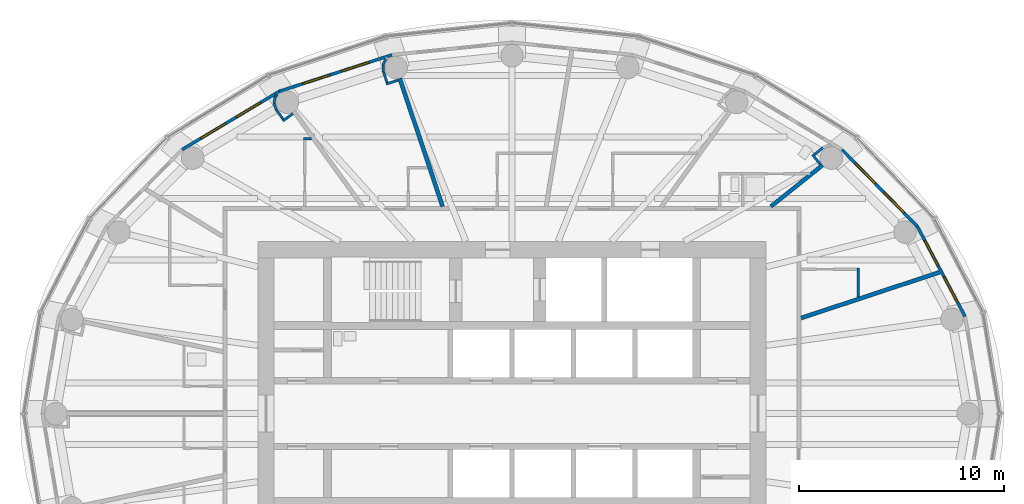
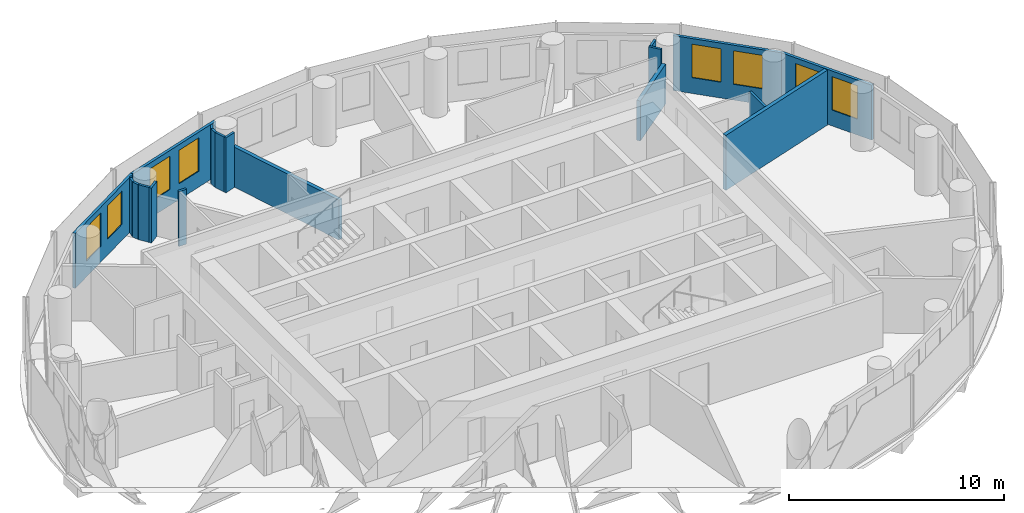
# One storey, part 12 of 16: 20 walls, 8 windows, 8 openings.
"""IFC4 building model written with IfcOpenShell, lengths in metres."""

from ifc_helpers import new_model, si_unit, direction, frame, frame_2d, origin, place, context, subcontext, project, spatial, rectangle, extrude, material, layer, layer_set, type_object, element, fill, save


model = new_model("IFC4")

# Units and contexts
model_context = context("Model", 3, precision=1e-05, world=origin(), true_north=direction((0.0, 1.0)))
body_context = subcontext(model_context, "Body", "Model", "MODEL_VIEW")
ifc_project = project(units=[si_unit("LENGTHUNIT", "METRE"), si_unit("AREAUNIT", "SQUARE_METRE"), si_unit("VOLUMEUNIT", "CUBIC_METRE"), si_unit("PLANEANGLEUNIT", "RADIAN"), si_unit("MASSUNIT", "GRAM", prefix="KILO")], contexts=[model_context])

# Site, building, storey
site_placement = place(None, origin())
site = spatial("IfcSite", under=ifc_project, at=site_placement, CompositionType="ELEMENT")
building_placement = place(site_placement, origin())
building = spatial("IfcBuilding", under=site, at=building_placement, Name="Hankou Lantern Tower", CompositionType="ELEMENT")
storey_placement = place(building_placement, frame((0.0, 0.0, 143.39990234375)))
storey = spatial("IfcBuildingStorey", under=building, at=storey_placement, Name="L37", CompositionType="ELEMENT", Elevation=143.39990234375)

# Wall, openings, windows
ifc_material_1 = material(Name="Aluminium spandrel panel on steel studs", Category="steel")
ifc_layer_1 = layer(ifc_material_1, 0.14990234375)
ifc_layer_set_1 = layer_set([ifc_layer_1], Name="Aluminium spandrel panel on steel studs")
wall_type_1 = type_object("IfcWallType", Name="EW1 INNER SKIN WALL 150", PredefinedType="ELEMENTEDWALL", material=ifc_layer_set_1)
wall_1_placement = place(storey_placement, frame((22.1015625, 4.73779296875, 0.0), z_axis=(0.0, 0.0, 1.0), x_axis=(-0.468428906714, 0.883501193748, 0.0)))
wall_1 = element("IfcWall", 1, at=wall_1_placement, inside=storey, type_object=wall_type_1, Name="Inner skin R02-R03 L37", PredefinedType="ELEMENTEDWALL", context=body_context, shape_type="SweptSolid", body=[
    extrude(rectangle(XDim=4.9736328125, YDim=0.14990234375, at=frame_2d((2.48681640625, 0.0))), origin(), (0.0, 0.0, 1.0), 3.1201171875),
])
opening_1_placement = place(wall_1_placement, frame((0.786865234375, 0.0, 0.89990234375)))
opening_1 = element("IfcOpeningElement", 2, at=opening_1_placement, cuts=wall_1, Name="Opening W3", PredefinedType="OPENING", context=body_context, shape_type="SweptSolid", body=[
    extrude(rectangle(XDim=1.39990234375, YDim=1.89990234375, at=frame_2d((0.699951171875, 0.949951171875))), frame((0.0, 0.0849609375, 0.0), z_axis=(0.0, -1.0, 0.0), x_axis=(1.0, 0.0, 0.0)), (0.0, 0.0, 1.0), 0.169921875),
])
opening_2_placement = place(wall_1_placement, frame((2.786865234375, 0.0, 0.89990234375)))
opening_2 = element("IfcOpeningElement", 3, at=opening_2_placement, cuts=wall_1, Name="Opening W3", PredefinedType="OPENING", context=body_context, shape_type="SweptSolid", body=[
    extrude(rectangle(XDim=1.39990234375, YDim=1.89990234375, at=frame_2d((0.699951171875, 0.949951171875))), frame((0.0, 0.0849609375, 0.0), z_axis=(0.0, -1.0, 0.0), x_axis=(1.0, 0.0, 0.0)), (0.0, 0.0, 1.0), 0.169921875),
])
ifc_material_2 = material(Name="Aluminium framed double glazed window", Category="aluminium")
window_type = type_object("IfcWindowType", Name="W3 GUEST ROOM WINDOW 1400X1900", PartitioningType="DOUBLE_PANEL_VERTICAL", PredefinedType="WINDOW", material=ifc_material_2)
window_1_placement = place(opening_1_placement, origin())
window_1 = element("IfcWindow", 4, at=window_1_placement, inside=storey, type_object=window_type, Name="Window R02.1 L37", OverallHeight=1.89990234375, OverallWidth=1.39990234375, PartitioningType="SINGLE_PANEL", PredefinedType="WINDOW", context=body_context, shape_type="SweptSolid", body=[
    extrude(rectangle(XDim=1.39990234375, YDim=1.89990234375, at=frame_2d((0.699951171875, 0.949951171875))), frame((0.0, 0.030029296875, 0.0), z_axis=(0.0, -1.0, 0.0), x_axis=(1.0, 0.0, 0.0)), (0.0, 0.0, 1.0), 0.06005859375),
])
fill(opening_1, window_1)
window_2_placement = place(opening_2_placement, origin())
window_2 = element("IfcWindow", 5, at=window_2_placement, inside=storey, type_object=window_type, Name="Window R02.2 L37", OverallHeight=1.89990234375, OverallWidth=1.39990234375, PartitioningType="SINGLE_PANEL", PredefinedType="WINDOW", context=body_context, shape_type="SweptSolid", body=[
    extrude(rectangle(XDim=1.39990234375, YDim=1.89990234375, at=frame_2d((0.699951171875, 0.949951171875))), frame((0.0, 0.030029296875, 0.0), z_axis=(0.0, -1.0, 0.0), x_axis=(1.0, 0.0, 0.0)), (0.0, 0.0, 1.0), 0.06005859375),
])
fill(opening_2, window_2)

wall_2_placement = place(storey_placement, frame((19.771728515625, 9.132080078125, 0.0), z_axis=(0.0, 0.0, 1.0), x_axis=(-0.700727467776, 0.71342905457, 0.0)))
wall_2 = element("IfcWall", 6, at=wall_2_placement, inside=storey, type_object=wall_type_1, Name="Inner skin R03-R04 L37", PredefinedType="ELEMENTEDWALL", context=body_context, shape_type="SweptSolid", body=[
    extrude(rectangle(XDim=5.247314453125, YDim=0.14990234375, at=frame_2d((2.62353515625, 0.0))), origin(), (0.0, 0.0, 1.0), 3.1201171875),
])
opening_3_placement = place(wall_2_placement, frame((0.923583984375, 0.0, 0.89990234375)))
opening_3 = element("IfcOpeningElement", 7, at=opening_3_placement, cuts=wall_2, Name="Opening W3", PredefinedType="OPENING", context=body_context, shape_type="SweptSolid", body=[
    extrude(rectangle(XDim=1.39990234375, YDim=1.89990234375, at=frame_2d((0.699951171875, 0.949951171875))), frame((0.0, 0.0849609375, 0.0), z_axis=(0.0, -1.0, 0.0), x_axis=(1.0, 0.0, 0.0)), (0.0, 0.0, 1.0), 0.169921875),
])
opening_4_placement = place(wall_2_placement, frame((2.923583984375, 0.0, 0.89990234375)))
opening_4 = element("IfcOpeningElement", 8, at=opening_4_placement, cuts=wall_2, Name="Opening W3", PredefinedType="OPENING", context=body_context, shape_type="SweptSolid", body=[
    extrude(rectangle(XDim=1.39990234375, YDim=1.89990234375, at=frame_2d((0.699951171875, 0.949951171875))), frame((0.0, 0.0849609375, 0.0), z_axis=(0.0, -1.0, 0.0), x_axis=(1.0, 0.0, 0.0)), (0.0, 0.0, 1.0), 0.169921875),
])
window_3_placement = place(opening_3_placement, origin())
window_3 = element("IfcWindow", 9, at=window_3_placement, inside=storey, type_object=window_type, Name="Window R03.1 L37", OverallHeight=1.89990234375, OverallWidth=1.39990234375, PartitioningType="SINGLE_PANEL", PredefinedType="WINDOW", context=body_context, shape_type="SweptSolid", body=[
    extrude(rectangle(XDim=1.39990234375, YDim=1.89990234375, at=frame_2d((0.699951171875, 0.949951171875))), frame((0.0, 0.030029296875, 0.0), z_axis=(0.0, -1.0, 0.0), x_axis=(1.0, 0.0, 0.0)), (0.0, 0.0, 1.0), 0.06005859375),
])
fill(opening_3, window_3)
window_4_placement = place(opening_4_placement, origin())
window_4 = element("IfcWindow", 10, at=window_4_placement, inside=storey, type_object=window_type, Name="Window R03.2 L37", OverallHeight=1.89990234375, OverallWidth=1.39990234375, PartitioningType="SINGLE_PANEL", PredefinedType="WINDOW", context=body_context, shape_type="SweptSolid", body=[
    extrude(rectangle(XDim=1.39990234375, YDim=1.89990234375, at=frame_2d((0.699951171875, 0.949951171875))), frame((0.0, 0.030029296875, 0.0), z_axis=(0.0, -1.0, 0.0), x_axis=(1.0, 0.0, 0.0)), (0.0, 0.0, 1.0), 0.06005859375),
])
fill(opening_4, window_4)

wall_3_placement = place(storey_placement, frame((-5.8603515625, 17.497314453125, 0.0), z_axis=(0.0, 0.0, 1.0), x_axis=(-0.951432482129, -0.307857486429, 0.0)))
wall_3 = element("IfcWall", 11, at=wall_3_placement, inside=storey, type_object=wall_type_1, Name="Inner skin R08-R09 L37", PredefinedType="ELEMENTEDWALL", context=body_context, shape_type="SweptSolid", body=[
    extrude(rectangle(XDim=5.76611328125, YDim=0.14990234375, at=frame_2d((2.883056640625, 0.0))), origin(), (0.0, 0.0, 1.0), 3.1201171875),
])
opening_5_placement = place(wall_3_placement, frame((1.18310546875, 0.0, 0.89990234375)))
opening_5 = element("IfcOpeningElement", 12, at=opening_5_placement, cuts=wall_3, Name="Opening W3", PredefinedType="OPENING", context=body_context, shape_type="SweptSolid", body=[
    extrude(rectangle(XDim=1.39990234375, YDim=1.89990234375, at=frame_2d((0.699951171875, 0.949951171875))), frame((0.0, 0.0849609375, 0.0), z_axis=(0.0, -1.0, 0.0), x_axis=(1.0, 0.0, 0.0)), (0.0, 0.0, 1.0), 0.169921875),
])
opening_6_placement = place(wall_3_placement, frame((3.18310546875, 0.0, 0.89990234375)))
opening_6 = element("IfcOpeningElement", 13, at=opening_6_placement, cuts=wall_3, Name="Opening W3", PredefinedType="OPENING", context=body_context, shape_type="SweptSolid", body=[
    extrude(rectangle(XDim=1.39990234375, YDim=1.89990234375, at=frame_2d((0.699951171875, 0.949951171875))), frame((0.0, 0.0849609375, 0.0), z_axis=(0.0, -1.0, 0.0), x_axis=(1.0, 0.0, 0.0)), (0.0, 0.0, 1.0), 0.169921875),
])
window_5_placement = place(opening_5_placement, origin())
window_5 = element("IfcWindow", 14, at=window_5_placement, inside=storey, type_object=window_type, Name="Window R08.1 L37", OverallHeight=1.89990234375, OverallWidth=1.39990234375, PartitioningType="SINGLE_PANEL", PredefinedType="WINDOW", context=body_context, shape_type="SweptSolid", body=[
    extrude(rectangle(XDim=1.39990234375, YDim=1.89990234375, at=frame_2d((0.699951171875, 0.949951171875))), frame((0.0, 0.030029296875, 0.0), z_axis=(0.0, -1.0, 0.0), x_axis=(1.0, 0.0, 0.0)), (0.0, 0.0, 1.0), 0.06005859375),
])
fill(opening_5, window_5)
window_6_placement = place(opening_6_placement, origin())
window_6 = element("IfcWindow", 15, at=window_6_placement, inside=storey, type_object=window_type, Name="Window R08.2 L37", OverallHeight=1.89990234375, OverallWidth=1.39990234375, PartitioningType="SINGLE_PANEL", PredefinedType="WINDOW", context=body_context, shape_type="SweptSolid", body=[
    extrude(rectangle(XDim=1.39990234375, YDim=1.89990234375, at=frame_2d((0.699951171875, 0.949951171875))), frame((0.0, 0.030029296875, 0.0), z_axis=(0.0, -1.0, 0.0), x_axis=(1.0, 0.0, 0.0)), (0.0, 0.0, 1.0), 0.06005859375),
])
fill(opening_6, window_6)

wall_4_placement = place(storey_placement, frame((-11.346435546875, 15.72216796875, 0.0), z_axis=(0.0, 0.0, 1.0), x_axis=(-0.857695199231, -0.514158482587, 0.0)))
wall_4 = element("IfcWall", 16, at=wall_4_placement, inside=storey, type_object=wall_type_1, Name="Inner skin R09-R10 L37", PredefinedType="ELEMENTEDWALL", context=body_context, shape_type="SweptSolid", body=[
    extrude(rectangle(XDim=5.5361328125, YDim=0.14990234375, at=frame_2d((2.76806640625, 0.0))), origin(), (0.0, 0.0, 1.0), 3.1201171875),
])
opening_7_placement = place(wall_4_placement, frame((1.068115234375, 0.0, 0.89990234375)))
opening_7 = element("IfcOpeningElement", 17, at=opening_7_placement, cuts=wall_4, Name="Opening W3", PredefinedType="OPENING", context=body_context, shape_type="SweptSolid", body=[
    extrude(rectangle(XDim=1.39990234375, YDim=1.89990234375, at=frame_2d((0.699951171875, 0.949951171875))), frame((0.0, 0.0849609375, 0.0), z_axis=(0.0, -1.0, 0.0), x_axis=(1.0, 0.0, 0.0)), (0.0, 0.0, 1.0), 0.169921875),
])
opening_8_placement = place(wall_4_placement, frame((3.068115234375, 0.0, 0.89990234375)))
opening_8 = element("IfcOpeningElement", 18, at=opening_8_placement, cuts=wall_4, Name="Opening W3", PredefinedType="OPENING", context=body_context, shape_type="SweptSolid", body=[
    extrude(rectangle(XDim=1.39990234375, YDim=1.89990234375, at=frame_2d((0.699951171875, 0.949951171875))), frame((0.0, 0.0849609375, 0.0), z_axis=(0.0, -1.0, 0.0), x_axis=(1.0, 0.0, 0.0)), (0.0, 0.0, 1.0), 0.169921875),
])
window_7_placement = place(opening_7_placement, origin())
window_7 = element("IfcWindow", 19, at=window_7_placement, inside=storey, type_object=window_type, Name="Window R09.1 L37", OverallHeight=1.89990234375, OverallWidth=1.39990234375, PartitioningType="SINGLE_PANEL", PredefinedType="WINDOW", context=body_context, shape_type="SweptSolid", body=[
    extrude(rectangle(XDim=1.39990234375, YDim=1.89990234375, at=frame_2d((0.699951171875, 0.949951171875))), frame((0.0, 0.030029296875, 0.0), z_axis=(0.0, -1.0, 0.0), x_axis=(1.0, 0.0, 0.0)), (0.0, 0.0, 1.0), 0.06005859375),
])
fill(opening_7, window_7)
window_8_placement = place(opening_8_placement, origin())
window_8 = element("IfcWindow", 20, at=window_8_placement, inside=storey, type_object=window_type, Name="Window R09.2 L37", OverallHeight=1.89990234375, OverallWidth=1.39990234375, PartitioningType="SINGLE_PANEL", PredefinedType="WINDOW", context=body_context, shape_type="SweptSolid", body=[
    extrude(rectangle(XDim=1.39990234375, YDim=1.89990234375, at=frame_2d((0.699951171875, 0.949951171875))), frame((0.0, 0.030029296875, 0.0), z_axis=(0.0, -1.0, 0.0), x_axis=(1.0, 0.0, 0.0)), (0.0, 0.0, 1.0), 0.06005859375),
])
fill(opening_8, window_8)

# Walls
ifc_material_3 = material(Name="Masonry lightweight concrete block", Category="masonry")
ifc_layer_2 = layer(ifc_material_3, 0.1201171875)
ifc_layer_set_2 = layer_set([ifc_layer_2], Name="Masonry lightweight concrete block")
wall_type_2 = type_object("IfcWallType", Name="IW3 BATHROOM WALL 120", PredefinedType="PARTITIONING", material=ifc_layer_set_2)
wall_5_placement = place(storey_placement, frame((16.89990234375, 5.687255859375, 0.0), z_axis=(0.0, 0.0, 1.0), x_axis=(0.0, 1.0, 0.0)))
element("IfcWall", 21, at=wall_5_placement, inside=storey, type_object=wall_type_2, Name="Box wall 3711 1", PredefinedType="PARTITIONING", context=body_context, shape_type="SweptSolid", body=[
    extrude(rectangle(XDim=1.414306640625, YDim=0.1201171875, at=frame_2d((0.70703125, 0.0))), origin(), (0.0, 0.0, 1.0), 3.1201171875),
])
wall_6_placement = place(storey_placement, frame((-9.7705078125, 13.39990234375, 0.0), z_axis=(0.0, 0.0, 1.0), x_axis=(-1.0, 0.0, 0.0)))
element("IfcWall", 22, at=wall_6_placement, inside=storey, type_object=wall_type_2, Name="Box wall 3716 1", PredefinedType="PARTITIONING", context=body_context, shape_type="SweptSolid", body=[
    extrude(rectangle(XDim=0.408447265625, YDim=0.1201171875, at=frame_2d((0.2041015625, 0.0))), origin(), (0.0, 0.0, 1.0), 3.1201171875),
])
ifc_material_4 = material(Name="Masonry lightweight concrete block", Category="masonry")
ifc_layer_3 = layer(ifc_material_4, 0.1201171875)
ifc_layer_set_3 = layer_set([ifc_layer_3], Name="Masonry lightweight concrete block")
wall_type_3 = type_object("IfcWallType", Name="IW4 PARTITION 120", PredefinedType="PARTITIONING", material=ifc_layer_set_3)
wall_7_placement = place(storey_placement, frame((15.037353515625, 12.157958984375, 0.0), z_axis=(0.0, 0.0, 1.0), x_axis=(-0.624840920722, 0.78075208856, 0.0)))
element("IfcWall", 23, at=wall_7_placement, inside=storey, type_object=wall_type_3, Name="Column casing R04 return", PredefinedType="PARTITIONING", context=body_context, shape_type="SweptSolid", body=[
    extrude(rectangle(XDim=0.6123046875, YDim=0.1201171875, at=frame_2d((0.30615234375, 0.0))), origin(), (0.0, 0.0, 1.0), 3.1201171875),
])
wall_8_placement = place(storey_placement, frame((14.7392578125, 12.626708984375, 0.0), z_axis=(0.0, 0.0, 1.0), x_axis=(0.780912119987, 0.624640905527, 0.0)))
element("IfcWall", 24, at=wall_8_placement, inside=storey, type_object=wall_type_3, Name="Column casing R04", PredefinedType="PARTITIONING", context=body_context, shape_type="SweptSolid", body=[
    extrude(rectangle(XDim=0.5498046875, YDim=0.1201171875, at=frame_2d((0.27490234375, 0.0))), origin(), (0.0, 0.0, 1.0), 3.1201171875),
])
wall_9_placement = place(storey_placement, frame((-5.553955078125, 16.267333984375, 0.0), z_axis=(0.0, 0.0, 1.0), x_axis=(-0.948163683492, -0.317782361541, 0.0)))
element("IfcWall", 25, at=wall_9_placement, inside=storey, type_object=wall_type_3, Name="Column casing R08 return", PredefinedType="PARTITIONING", context=body_context, shape_type="SweptSolid", body=[
    extrude(rectangle(XDim=0.6123046875, YDim=0.1201171875, at=frame_2d((0.30615234375, 0.0))), origin(), (0.0, 0.0, 1.0), 3.1201171875),
])
wall_10_placement = place(storey_placement, frame((-6.0966796875, 16.148681640625, 0.0), z_axis=(0.0, 0.0, 1.0), x_axis=(-0.317292604854, 0.948327687514, 0.0)))
element("IfcWall", 26, at=wall_10_placement, inside=storey, type_object=wall_type_3, Name="Column casing R08", PredefinedType="PARTITIONING", context=body_context, shape_type="SweptSolid", body=[
    extrude(rectangle(XDim=0.550048828125, YDim=0.1201171875, at=frame_2d((0.27490234375, 0.0))), origin(), (0.0, 0.0, 1.0), 3.1201171875),
])
for number, where, z_axis, x_axis, name in (
    (27, (-6.271240234375, 16.67041015625, 0.0), (0.0, 0.0, 1.0), (-0.061477694849, 0.998108457552, 0.0), "Column casing R08"),
    (28, (-6.2919921875, 17.00732421875, 0.0), (0.0, 0.0, 1.0), (0.445477128334, 0.895293319606, 0.0), "Column casing R08"),
):
    element("IfcWall", number, at=place(storey_placement, frame(where, z_axis=z_axis, x_axis=x_axis)), inside=storey, type_object=wall_type_3, Name=name, PredefinedType="PARTITIONING", context=body_context, shape_type="SweptSolid", body=[
        extrude(rectangle(XDim=0.337646484375, YDim=0.1201171875, at=frame_2d((0.1689453125, 0.0))), origin(), (0.0, 0.0, 1.0), 3.1201171875),
    ])
wall_11_placement = place(storey_placement, frame((-10.683837890625, 14.633056640625, 0.0), z_axis=(0.0, 0.0, 1.0), x_axis=(-0.810921075692, -0.585155542568, 0.0)))
element("IfcWall", 29, at=wall_11_placement, inside=storey, type_object=wall_type_3, Name="Column casing R09 return", PredefinedType="PARTITIONING", context=body_context, shape_type="SweptSolid", body=[
    extrude(rectangle(XDim=0.612060546875, YDim=0.1201171875, at=frame_2d((0.30615234375, 0.0))), origin(), (0.0, 0.0, 1.0), 3.1201171875),
])
wall_12_placement = place(storey_placement, frame((-11.166748046875, 14.358642578125, 0.0), z_axis=(0.0, 0.0, 1.0), x_axis=(-0.585263549799, 0.810843127415, 0.0)))
element("IfcWall", 30, at=wall_12_placement, inside=storey, type_object=wall_type_3, Name="Column casing R09", PredefinedType="PARTITIONING", context=body_context, shape_type="SweptSolid", body=[
    extrude(rectangle(XDim=0.5498046875, YDim=0.1201171875, at=frame_2d((0.27490234375, 0.0))), origin(), (0.0, 0.0, 1.0), 3.1201171875),
])
for number, where, z_axis, x_axis, name in (
    (31, (-11.488525390625, 14.804443359375, 0.0), (0.0, 0.0, 1.0), (-0.355634599475, 0.934625075448, 0.0), "Column casing R09"),
    (32, (-11.608642578125, 15.1201171875, 0.0), (0.0, 0.0, 1.0), (0.159823572519, 0.987145594969, 0.0), "Column casing R09"),
):
    element("IfcWall", number, at=place(storey_placement, frame(where, z_axis=z_axis, x_axis=x_axis)), inside=storey, type_object=wall_type_3, Name=name, PredefinedType="PARTITIONING", context=body_context, shape_type="SweptSolid", body=[
        extrude(rectangle(XDim=0.337646484375, YDim=0.1201171875, at=frame_2d((0.1689453125, 0.0))), origin(), (0.0, 0.0, 1.0), 3.1201171875),
    ])
wall_13_placement = place(storey_placement, frame((-11.5546875, 15.453369140625, 0.0), z_axis=(0.0, 0.0, 1.0), x_axis=(0.631711901025, 0.775203246964, 0.0)))
element("IfcWall", 33, at=wall_13_placement, inside=storey, type_object=wall_type_3, Name="Column casing R09", PredefinedType="PARTITIONING", context=body_context, shape_type="SweptSolid", body=[
    extrude(rectangle(XDim=0.139404296875, YDim=0.1201171875, at=frame_2d((0.06982421875, 0.0))), origin(), (0.0, 0.0, 1.0), 3.1201171875),
])
ifc_material_5 = material(Name="Masonry lightweight concrete block", Category="masonry")
ifc_layer_4 = layer(ifc_material_5, 0.199951171875)
ifc_layer_set_4 = layer_set([ifc_layer_4], Name="Masonry lightweight concrete block")
wall_type_4 = type_object("IfcWallType", Name="IW8 PARTITION 200", PredefinedType="PARTITIONING", material=ifc_layer_set_4)
wall_14_placement = place(storey_placement, frame((14.10009765625, 4.661376953125, 0.0), z_axis=(0.0, 0.0, 1.0), x_axis=(0.949453216399, 0.313908569285, 0.0)))
element("IfcWall", 34, at=wall_14_placement, inside=storey, type_object=wall_type_4, Name="Partition R02-R03", PredefinedType="PARTITIONING", context=body_context, shape_type="SweptSolid", body=[
    extrude(rectangle(XDim=7.108642578125, YDim=0.199951171875, at=frame_2d((3.55419921875, 0.0))), origin(), (0.0, 0.0, 1.0), 3.1201171875),
])
wall_15_placement = place(storey_placement, frame((12.625, 10.10009765625, 0.0), z_axis=(0.0, 0.0, 1.0), x_axis=(0.780876185034, 0.624685827954, 0.0)))
element("IfcWall", 35, at=wall_15_placement, inside=storey, type_object=wall_type_4, Name="Partition R04", PredefinedType="PARTITIONING", context=body_context, shape_type="SweptSolid", body=[
    extrude(rectangle(XDim=3.229248046875, YDim=0.199951171875, at=frame_2d((1.61474609375, 0.0))), origin(), (0.0, 0.0, 1.0), 2.27001953125),
])
wall_16_placement = place(storey_placement, frame((-3.3828125, 10.10009765625, 0.0), z_axis=(0.0, 0.0, 1.0), x_axis=(-0.317615120474, 0.948219718866, 0.0)))
element("IfcWall", 36, at=wall_16_placement, inside=storey, type_object=wall_type_4, Name="Partition R08", PredefinedType="PARTITIONING", context=body_context, shape_type="SweptSolid", body=[
    extrude(rectangle(XDim=6.597412109375, YDim=0.199951171875, at=frame_2d((3.298828125, 0.0))), origin(), (0.0, 0.0, 1.0), 2.27001953125),
])

save(model, "model.ifc")
